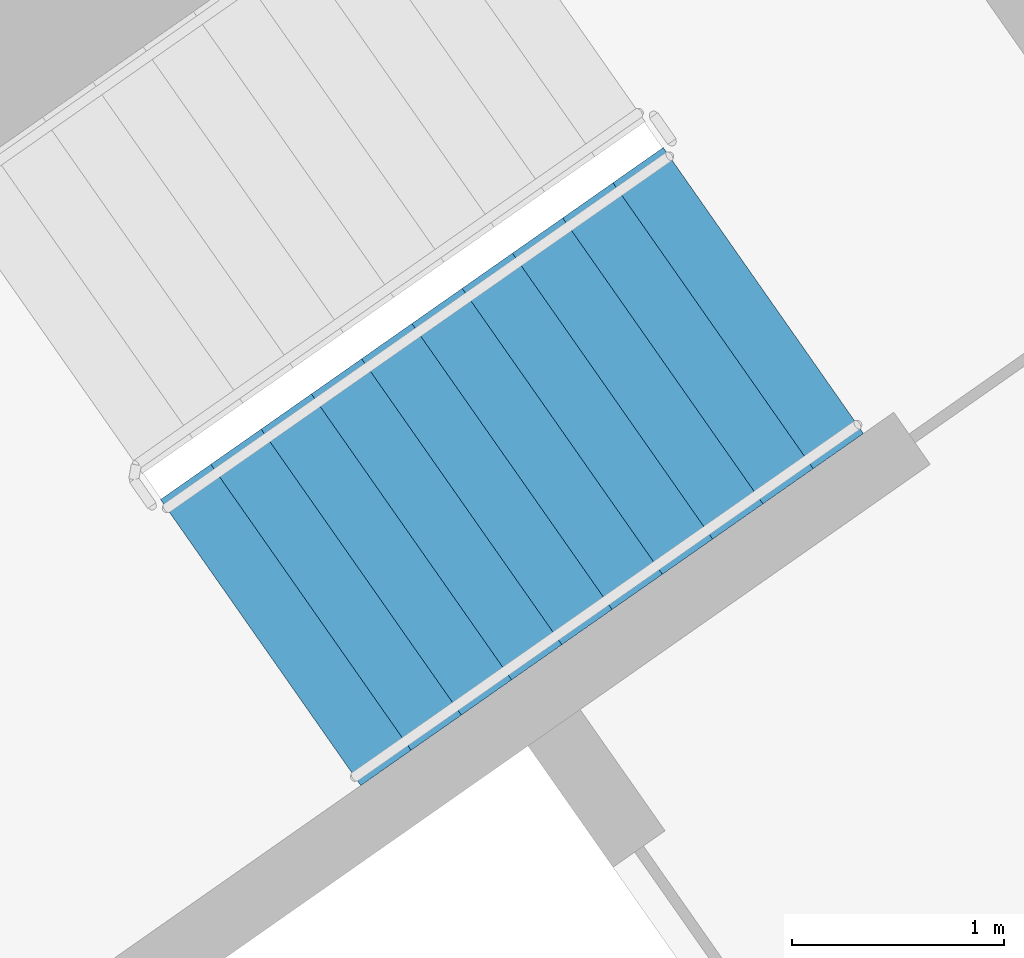
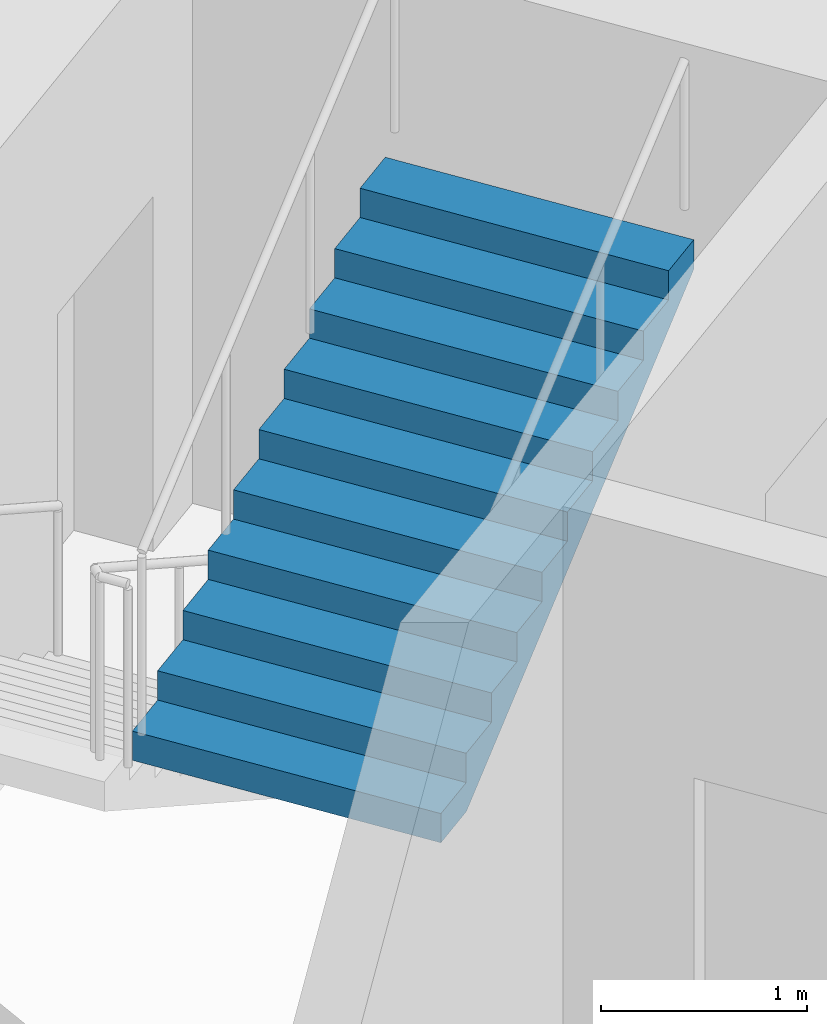
# One storey, part 15 of 31: 1 stair flight, 1 element without a shape of its own.
"""IFC4 building model written with IfcOpenShell, lengths in metres."""

from ifc_helpers import new_model, si_unit, direction, frame, origin, place, context, subcontext, project, spatial, faceted_brep, material, type_object, element, aggregate, save


model = new_model("IFC4")

# Units and contexts
model_context = context("Model", 3, precision=1e-05, world=origin(), true_north=direction((0.0, 1.0)))
body_context = subcontext(model_context, "Body", "Model", "MODEL_VIEW")
ifc_project = project(units=[si_unit("LENGTHUNIT", "METRE"), si_unit("AREAUNIT", "SQUARE_METRE"), si_unit("VOLUMEUNIT", "CUBIC_METRE"), si_unit("PLANEANGLEUNIT", "RADIAN"), si_unit("MASSUNIT", "GRAM", prefix="KILO")], contexts=[model_context])

# Site, building, storey
site_placement = place(None, origin())
site = spatial("IfcSite", under=ifc_project, at=site_placement, CompositionType="ELEMENT")
building_placement = place(site_placement, origin())
building = spatial("IfcBuilding", under=site, at=building_placement, Name="Qamariyya Broadcast Tower", CompositionType="ELEMENT")
storey_placement = place(building_placement, frame((0.0, 0.0, 55.699951171875)))
storey = spatial("IfcBuildingStorey", under=building, at=storey_placement, Name="L10", CompositionType="ELEMENT", Elevation=55.699951171875)

# Stair, stair flight
ifc_material = material(Name="Concrete C50/60", Category="concrete")
stair_type = type_object("IfcStairType", Name="Exit stair 22 risers of 173 mm", PredefinedType="HALF_TURN_STAIR", material=ifc_material)
stair_placement = place(storey_placement, origin())
stair = element("IfcStair", 1, at=stair_placement, inside=storey, type_object=stair_type, Name="L10 Stair E2", PredefinedType="HALF_TURN_STAIR")
stair_flight_type = type_object("IfcStairFlightType", Name="Exit stair flight 11 risers of 173 mm", PredefinedType="STRAIGHT", material=ifc_material)
stair_flight_placement = place(storey_placement, frame((39.215576171875, -50.822998046875, 1.900146484375), z_axis=(0.0, 0.0, 1.0), x_axis=(0.819152044289, 0.573576436351, 0.0)))
stair_flight = element("IfcStairFlight", 2, at=stair_flight_placement, type_object=stair_flight_type, Name="ST-E2 flight 2", NumberOfRisers=11, NumberOfTreads=10, PredefinedType="STRAIGHT", RiserHeight=0.172727273, TreadLength=0.29, context=body_context, shape_type="Brep", body=[
    faceted_brep([(0.0, 0.824951171875, 0.0), (0.0, 0.824951171875, 0.172607421875), (0.2900390625, 0.824951171875, 0.172607421875), (0.2900390625, 0.824951171875, 0.345458984375), (0.580078125, 0.824951171875, 0.345458984375), (0.580078125, 0.824951171875, 0.51806640625), (0.8701171875, 0.824951171875, 0.51806640625), (0.8701171875, 0.824951171875, 0.69091796875), (1.159912109375, 0.824951171875, 0.69091796875), (1.159912109375, 0.824951171875, 0.863525390625), (1.449951171875, 0.824951171875, 0.863525390625), (1.449951171875, 0.824951171875, 1.036376953125), (1.739990234375, 0.824951171875, 1.036376953125), (1.739990234375, 0.824951171875, 1.208984375), (2.030029296875, 0.824951171875, 1.208984375), (2.030029296875, 0.824951171875, 1.3818359375), (2.320068359375, 0.824951171875, 1.3818359375), (2.320068359375, 0.824951171875, 1.554443359375), (2.610107421875, 0.824951171875, 1.554443359375), (2.610107421875, 0.824951171875, 1.727294921875), (2.89990234375, 0.824951171875, 1.727294921875), (2.89990234375, 0.824951171875, 1.552734375), (0.29296875, 0.824951171875, 0.0), (0.29296875, -0.824951171875, 0.0), (2.89990234375, -0.824951171875, 1.552734375), (2.89990234375, -0.824951171875, 1.727294921875), (2.610107421875, -0.824951171875, 1.727294921875), (2.610107421875, -0.824951171875, 1.554443359375), (2.320068359375, -0.824951171875, 1.554443359375), (2.320068359375, -0.824951171875, 1.3818359375), (2.030029296875, -0.824951171875, 1.3818359375), (2.030029296875, -0.824951171875, 1.208984375), (1.739990234375, -0.824951171875, 1.208984375), (1.739990234375, -0.824951171875, 1.036376953125), (1.449951171875, -0.824951171875, 1.036376953125), (1.449951171875, -0.824951171875, 0.863525390625), (1.159912109375, -0.824951171875, 0.863525390625), (1.159912109375, -0.824951171875, 0.69091796875), (0.8701171875, -0.824951171875, 0.69091796875), (0.8701171875, -0.824951171875, 0.51806640625), (0.580078125, -0.824951171875, 0.51806640625), (0.580078125, -0.824951171875, 0.345458984375), (0.2900390625, -0.824951171875, 0.345458984375), (0.2900390625, -0.824951171875, 0.172607421875), (0.0, -0.824951171875, 0.172607421875), (0.0, -0.824951171875, 0.0), (0.0, 0.10009765625, 0.0), (0.0, 0.086669921875, 0.0), (0.0, 0.0732421875, 0.0), (0.0, 0.06005859375, 0.0), (0.0, 0.046630859375, 0.0), (0.0, 0.033447265625, 0.0), (0.0, 0.02001953125, 0.0), (0.0, 0.006591796875, 0.0), (0.0, -0.006591796875, 0.0), (0.0, -0.02001953125, 0.0), (0.0, -0.033447265625, 0.0), (0.0, -0.046630859375, 0.0), (0.0, -0.06005859375, 0.0), (0.0, -0.0732421875, 0.0), (0.0, -0.086669921875, 0.0), (0.0, -0.10009765625, 0.0), (0.0, -0.10009765625, 0.172607421875), (0.0, -0.086669921875, 0.172607421875), (0.0, -0.0732421875, 0.172607421875), (0.0, -0.06005859375, 0.172607421875), (0.0, -0.046630859375, 0.172607421875), (0.0, -0.033447265625, 0.172607421875), (0.0, -0.02001953125, 0.172607421875), (0.0, -0.006591796875, 0.172607421875), (0.0, 0.006591796875, 0.172607421875), (0.0, 0.02001953125, 0.172607421875), (0.0, 0.033447265625, 0.172607421875), (0.0, 0.046630859375, 0.172607421875), (0.0, 0.06005859375, 0.172607421875), (0.0, 0.0732421875, 0.172607421875), (0.0, 0.086669921875, 0.172607421875), (0.0, 0.10009765625, 0.172607421875), (0.2900390625, -0.10009765625, 0.172607421875), (0.2900390625, -0.086669921875, 0.172607421875), (0.2900390625, -0.0732421875, 0.172607421875), (0.2900390625, -0.06005859375, 0.172607421875), (0.2900390625, -0.046630859375, 0.172607421875), (0.2900390625, -0.033447265625, 0.172607421875), (0.2900390625, -0.02001953125, 0.172607421875), (0.2900390625, -0.006591796875, 0.172607421875), (0.2900390625, 0.006591796875, 0.172607421875), (0.2900390625, 0.02001953125, 0.172607421875), (0.2900390625, 0.033447265625, 0.172607421875), (0.2900390625, 0.046630859375, 0.172607421875), (0.2900390625, 0.06005859375, 0.172607421875), (0.2900390625, 0.0732421875, 0.172607421875), (0.2900390625, 0.086669921875, 0.172607421875), (0.2900390625, 0.10009765625, 0.172607421875), (0.2900390625, -0.10009765625, 0.345458984375), (0.2900390625, -0.086669921875, 0.345458984375), (0.2900390625, -0.0732421875, 0.345458984375), (0.2900390625, -0.06005859375, 0.345458984375), (0.2900390625, -0.046630859375, 0.345458984375), (0.2900390625, -0.033447265625, 0.345458984375), (0.2900390625, -0.02001953125, 0.345458984375), (0.2900390625, -0.006591796875, 0.345458984375), (0.2900390625, 0.006591796875, 0.345458984375), (0.2900390625, 0.02001953125, 0.345458984375), (0.2900390625, 0.033447265625, 0.345458984375), (0.2900390625, 0.046630859375, 0.345458984375), (0.2900390625, 0.06005859375, 0.345458984375), (0.2900390625, 0.0732421875, 0.345458984375), (0.2900390625, 0.086669921875, 0.345458984375), (0.2900390625, 0.10009765625, 0.345458984375), (0.580078125, -0.10009765625, 0.345458984375), (0.580078125, -0.086669921875, 0.345458984375), (0.580078125, -0.0732421875, 0.345458984375), (0.580078125, -0.06005859375, 0.345458984375), (0.580078125, -0.046630859375, 0.345458984375), (0.580078125, -0.033447265625, 0.345458984375), (0.580078125, -0.02001953125, 0.345458984375), (0.580078125, -0.006591796875, 0.345458984375), (0.580078125, 0.006591796875, 0.345458984375), (0.580078125, 0.02001953125, 0.345458984375), (0.580078125, 0.033447265625, 0.345458984375), (0.580078125, 0.046630859375, 0.345458984375), (0.580078125, 0.06005859375, 0.345458984375), (0.580078125, 0.0732421875, 0.345458984375), (0.580078125, 0.086669921875, 0.345458984375), (0.580078125, 0.10009765625, 0.345458984375), (0.580078125, -0.10009765625, 0.51806640625), (0.580078125, -0.086669921875, 0.51806640625), (0.580078125, -0.0732421875, 0.51806640625), (0.580078125, -0.06005859375, 0.51806640625), (0.580078125, -0.046630859375, 0.51806640625), (0.580078125, -0.033447265625, 0.51806640625), (0.580078125, -0.02001953125, 0.51806640625), (0.580078125, -0.006591796875, 0.51806640625), (0.580078125, 0.006591796875, 0.51806640625), (0.580078125, 0.02001953125, 0.51806640625), (0.580078125, 0.033447265625, 0.51806640625), (0.580078125, 0.046630859375, 0.51806640625), (0.580078125, 0.06005859375, 0.51806640625), (0.580078125, 0.0732421875, 0.51806640625), (0.580078125, 0.086669921875, 0.51806640625), (0.580078125, 0.10009765625, 0.51806640625), (0.8701171875, -0.10009765625, 0.51806640625), (0.8701171875, -0.086669921875, 0.51806640625), (0.8701171875, -0.0732421875, 0.51806640625), (0.8701171875, -0.06005859375, 0.51806640625), (0.8701171875, -0.046630859375, 0.51806640625), (0.8701171875, -0.033447265625, 0.51806640625), (0.8701171875, -0.02001953125, 0.51806640625), (0.8701171875, -0.006591796875, 0.51806640625), (0.8701171875, 0.006591796875, 0.51806640625), (0.8701171875, 0.02001953125, 0.51806640625), (0.8701171875, 0.033447265625, 0.51806640625), (0.8701171875, 0.046630859375, 0.51806640625), (0.8701171875, 0.06005859375, 0.51806640625), (0.8701171875, 0.0732421875, 0.51806640625), (0.8701171875, 0.086669921875, 0.51806640625), (0.8701171875, 0.10009765625, 0.51806640625), (0.8701171875, -0.10009765625, 0.69091796875), (0.8701171875, -0.086669921875, 0.69091796875), (0.8701171875, -0.0732421875, 0.69091796875), (0.8701171875, -0.06005859375, 0.69091796875), (0.8701171875, -0.046630859375, 0.69091796875), (0.8701171875, -0.033447265625, 0.69091796875), (0.8701171875, -0.02001953125, 0.69091796875), (0.8701171875, -0.006591796875, 0.69091796875), (0.8701171875, 0.006591796875, 0.69091796875), (0.8701171875, 0.02001953125, 0.69091796875), (0.8701171875, 0.033447265625, 0.69091796875), (0.8701171875, 0.046630859375, 0.69091796875), (0.8701171875, 0.06005859375, 0.69091796875), (0.8701171875, 0.0732421875, 0.69091796875), (0.8701171875, 0.086669921875, 0.69091796875), (0.8701171875, 0.10009765625, 0.69091796875), (1.159912109375, -0.10009765625, 0.69091796875), (1.159912109375, -0.086669921875, 0.69091796875), (1.159912109375, -0.0732421875, 0.69091796875), (1.159912109375, -0.06005859375, 0.69091796875), (1.159912109375, -0.046630859375, 0.69091796875), (1.159912109375, -0.033447265625, 0.69091796875), (1.159912109375, -0.02001953125, 0.69091796875), (1.159912109375, -0.006591796875, 0.69091796875), (1.159912109375, 0.006591796875, 0.69091796875), (1.159912109375, 0.02001953125, 0.69091796875), (1.159912109375, 0.033447265625, 0.69091796875), (1.159912109375, 0.046630859375, 0.69091796875), (1.159912109375, 0.06005859375, 0.69091796875), (1.159912109375, 0.0732421875, 0.69091796875), (1.159912109375, 0.086669921875, 0.69091796875), (1.159912109375, 0.10009765625, 0.69091796875), (1.159912109375, -0.10009765625, 0.863525390625), (1.159912109375, -0.086669921875, 0.863525390625), (1.159912109375, -0.0732421875, 0.863525390625), (1.159912109375, -0.06005859375, 0.863525390625), (1.159912109375, -0.046630859375, 0.863525390625), (1.159912109375, -0.033447265625, 0.863525390625), (1.159912109375, -0.02001953125, 0.863525390625), (1.159912109375, -0.006591796875, 0.863525390625), (1.159912109375, 0.006591796875, 0.863525390625), (1.159912109375, 0.02001953125, 0.863525390625), (1.159912109375, 0.033447265625, 0.863525390625), (1.159912109375, 0.046630859375, 0.863525390625), (1.159912109375, 0.06005859375, 0.863525390625), (1.159912109375, 0.0732421875, 0.863525390625), (1.159912109375, 0.086669921875, 0.863525390625), (1.159912109375, 0.10009765625, 0.863525390625), (1.449951171875, -0.10009765625, 0.863525390625), (1.449951171875, -0.086669921875, 0.863525390625), (1.449951171875, -0.0732421875, 0.863525390625), (1.449951171875, -0.06005859375, 0.863525390625), (1.449951171875, -0.046630859375, 0.863525390625), (1.449951171875, -0.033447265625, 0.863525390625), (1.449951171875, -0.02001953125, 0.863525390625), (1.449951171875, -0.006591796875, 0.863525390625), (1.449951171875, 0.006591796875, 0.863525390625), (1.449951171875, 0.02001953125, 0.863525390625), (1.449951171875, 0.033447265625, 0.863525390625), (1.449951171875, 0.046630859375, 0.863525390625), (1.449951171875, 0.06005859375, 0.863525390625), (1.449951171875, 0.0732421875, 0.863525390625), (1.449951171875, 0.086669921875, 0.863525390625), (1.449951171875, 0.10009765625, 0.863525390625), (1.449951171875, -0.10009765625, 1.036376953125), (1.449951171875, -0.086669921875, 1.036376953125), (1.449951171875, -0.0732421875, 1.036376953125), (1.449951171875, -0.06005859375, 1.036376953125), (1.449951171875, -0.046630859375, 1.036376953125), (1.449951171875, -0.033447265625, 1.036376953125), (1.449951171875, -0.02001953125, 1.036376953125), (1.449951171875, -0.006591796875, 1.036376953125), (1.449951171875, 0.006591796875, 1.036376953125), (1.449951171875, 0.02001953125, 1.036376953125), (1.449951171875, 0.033447265625, 1.036376953125), (1.449951171875, 0.046630859375, 1.036376953125), (1.449951171875, 0.06005859375, 1.036376953125), (1.449951171875, 0.0732421875, 1.036376953125), (1.449951171875, 0.086669921875, 1.036376953125), (1.449951171875, 0.10009765625, 1.036376953125), (1.739990234375, -0.10009765625, 1.036376953125), (1.739990234375, -0.086669921875, 1.036376953125), (1.739990234375, -0.0732421875, 1.036376953125), (1.739990234375, -0.06005859375, 1.036376953125), (1.739990234375, -0.046630859375, 1.036376953125), (1.739990234375, -0.033447265625, 1.036376953125), (1.739990234375, -0.02001953125, 1.036376953125), (1.739990234375, -0.006591796875, 1.036376953125), (1.739990234375, 0.006591796875, 1.036376953125), (1.739990234375, 0.02001953125, 1.036376953125), (1.739990234375, 0.033447265625, 1.036376953125), (1.739990234375, 0.046630859375, 1.036376953125), (1.739990234375, 0.06005859375, 1.036376953125), (1.739990234375, 0.0732421875, 1.036376953125), (1.739990234375, 0.086669921875, 1.036376953125), (1.739990234375, 0.10009765625, 1.036376953125), (1.739990234375, -0.10009765625, 1.208984375), (1.739990234375, -0.086669921875, 1.208984375), (1.739990234375, -0.0732421875, 1.208984375), (1.739990234375, -0.06005859375, 1.208984375), (1.739990234375, -0.046630859375, 1.208984375), (1.739990234375, -0.033447265625, 1.208984375), (1.739990234375, -0.02001953125, 1.208984375), (1.739990234375, -0.006591796875, 1.208984375), (1.739990234375, 0.006591796875, 1.208984375), (1.739990234375, 0.02001953125, 1.208984375), (1.739990234375, 0.033447265625, 1.208984375), (1.739990234375, 0.046630859375, 1.208984375), (1.739990234375, 0.06005859375, 1.208984375), (1.739990234375, 0.0732421875, 1.208984375), (1.739990234375, 0.086669921875, 1.208984375), (1.739990234375, 0.10009765625, 1.208984375), (2.030029296875, -0.10009765625, 1.208984375), (2.030029296875, -0.086669921875, 1.208984375), (2.030029296875, -0.0732421875, 1.208984375), (2.030029296875, -0.06005859375, 1.208984375), (2.030029296875, -0.046630859375, 1.208984375), (2.030029296875, -0.033447265625, 1.208984375), (2.030029296875, -0.02001953125, 1.208984375), (2.030029296875, -0.006591796875, 1.208984375), (2.030029296875, 0.006591796875, 1.208984375), (2.030029296875, 0.02001953125, 1.208984375), (2.030029296875, 0.033447265625, 1.208984375), (2.030029296875, 0.046630859375, 1.208984375), (2.030029296875, 0.06005859375, 1.208984375), (2.030029296875, 0.0732421875, 1.208984375), (2.030029296875, 0.086669921875, 1.208984375), (2.030029296875, 0.10009765625, 1.208984375), (2.030029296875, -0.10009765625, 1.3818359375), (2.030029296875, -0.086669921875, 1.3818359375), (2.030029296875, -0.0732421875, 1.3818359375), (2.030029296875, -0.06005859375, 1.3818359375), (2.030029296875, -0.046630859375, 1.3818359375), (2.030029296875, -0.033447265625, 1.3818359375), (2.030029296875, -0.02001953125, 1.3818359375), (2.030029296875, -0.006591796875, 1.3818359375), (2.030029296875, 0.006591796875, 1.3818359375), (2.030029296875, 0.02001953125, 1.3818359375), (2.030029296875, 0.033447265625, 1.3818359375), (2.030029296875, 0.046630859375, 1.3818359375), (2.030029296875, 0.06005859375, 1.3818359375), (2.030029296875, 0.0732421875, 1.3818359375), (2.030029296875, 0.086669921875, 1.3818359375), (2.030029296875, 0.10009765625, 1.3818359375), (2.320068359375, -0.10009765625, 1.3818359375), (2.320068359375, -0.086669921875, 1.3818359375), (2.320068359375, -0.0732421875, 1.3818359375), (2.320068359375, -0.06005859375, 1.3818359375), (2.320068359375, -0.046630859375, 1.3818359375), (2.320068359375, -0.033447265625, 1.3818359375), (2.320068359375, -0.02001953125, 1.3818359375), (2.320068359375, -0.006591796875, 1.3818359375), (2.320068359375, 0.006591796875, 1.3818359375), (2.320068359375, 0.02001953125, 1.3818359375), (2.320068359375, 0.033447265625, 1.3818359375), (2.320068359375, 0.046630859375, 1.3818359375), (2.320068359375, 0.06005859375, 1.3818359375), (2.320068359375, 0.0732421875, 1.3818359375), (2.320068359375, 0.086669921875, 1.3818359375), (2.320068359375, 0.10009765625, 1.3818359375), (2.320068359375, -0.10009765625, 1.554443359375), (2.320068359375, -0.086669921875, 1.554443359375), (2.320068359375, -0.0732421875, 1.554443359375), (2.320068359375, -0.06005859375, 1.554443359375), (2.320068359375, -0.046630859375, 1.554443359375), (2.320068359375, -0.033447265625, 1.554443359375), (2.320068359375, -0.02001953125, 1.554443359375), (2.320068359375, -0.006591796875, 1.554443359375), (2.320068359375, 0.006591796875, 1.554443359375), (2.320068359375, 0.02001953125, 1.554443359375), (2.320068359375, 0.033447265625, 1.554443359375), (2.320068359375, 0.046630859375, 1.554443359375), (2.320068359375, 0.06005859375, 1.554443359375), (2.320068359375, 0.0732421875, 1.554443359375), (2.320068359375, 0.086669921875, 1.554443359375), (2.320068359375, 0.10009765625, 1.554443359375), (2.610107421875, -0.10009765625, 1.554443359375), (2.610107421875, -0.086669921875, 1.554443359375), (2.610107421875, -0.0732421875, 1.554443359375), (2.610107421875, -0.06005859375, 1.554443359375), (2.610107421875, -0.046630859375, 1.554443359375), (2.610107421875, -0.033447265625, 1.554443359375), (2.610107421875, -0.02001953125, 1.554443359375), (2.610107421875, -0.006591796875, 1.554443359375), (2.610107421875, 0.006591796875, 1.554443359375), (2.610107421875, 0.02001953125, 1.554443359375), (2.610107421875, 0.033447265625, 1.554443359375), (2.610107421875, 0.046630859375, 1.554443359375), (2.610107421875, 0.06005859375, 1.554443359375), (2.610107421875, 0.0732421875, 1.554443359375), (2.610107421875, 0.086669921875, 1.554443359375), (2.610107421875, 0.10009765625, 1.554443359375), (2.610107421875, -0.10009765625, 1.727294921875), (2.610107421875, -0.086669921875, 1.727294921875), (2.610107421875, -0.0732421875, 1.727294921875), (2.610107421875, -0.06005859375, 1.727294921875), (2.610107421875, -0.046630859375, 1.727294921875), (2.610107421875, -0.033447265625, 1.727294921875), (2.610107421875, -0.02001953125, 1.727294921875), (2.610107421875, -0.006591796875, 1.727294921875), (2.610107421875, 0.006591796875, 1.727294921875), (2.610107421875, 0.02001953125, 1.727294921875), (2.610107421875, 0.033447265625, 1.727294921875), (2.610107421875, 0.046630859375, 1.727294921875), (2.610107421875, 0.06005859375, 1.727294921875), (2.610107421875, 0.0732421875, 1.727294921875), (2.610107421875, 0.086669921875, 1.727294921875), (2.610107421875, 0.10009765625, 1.727294921875), (2.89990234375, -0.10009765625, 1.727294921875), (2.89990234375, -0.086669921875, 1.727294921875), (2.89990234375, -0.0732421875, 1.727294921875), (2.89990234375, -0.06005859375, 1.727294921875), (2.89990234375, -0.046630859375, 1.727294921875), (2.89990234375, -0.033447265625, 1.727294921875), (2.89990234375, -0.02001953125, 1.727294921875), (2.89990234375, -0.006591796875, 1.727294921875), (2.89990234375, 0.006591796875, 1.727294921875), (2.89990234375, 0.02001953125, 1.727294921875), (2.89990234375, 0.033447265625, 1.727294921875), (2.89990234375, 0.046630859375, 1.727294921875), (2.89990234375, 0.06005859375, 1.727294921875), (2.89990234375, 0.0732421875, 1.727294921875), (2.89990234375, 0.086669921875, 1.727294921875), (2.89990234375, 0.10009765625, 1.727294921875), (2.89990234375, -0.10009765625, 1.552734375), (2.89990234375, -0.086669921875, 1.552734375), (2.89990234375, -0.0732421875, 1.552734375), (2.89990234375, -0.06005859375, 1.552734375), (2.89990234375, -0.046630859375, 1.552734375), (2.89990234375, -0.033447265625, 1.552734375), (2.89990234375, -0.02001953125, 1.552734375), (2.89990234375, -0.006591796875, 1.552734375), (2.89990234375, 0.006591796875, 1.552734375), (2.89990234375, 0.02001953125, 1.552734375), (2.89990234375, 0.033447265625, 1.552734375), (2.89990234375, 0.046630859375, 1.552734375), (2.89990234375, 0.06005859375, 1.552734375), (2.89990234375, 0.0732421875, 1.552734375), (2.89990234375, 0.086669921875, 1.552734375), (2.89990234375, 0.10009765625, 1.552734375), (0.29296875, -0.10009765625, 0.0), (0.29296875, -0.086669921875, 0.0), (0.29296875, -0.0732421875, 0.0), (0.29296875, -0.06005859375, 0.0), (0.29296875, -0.046630859375, 0.0), (0.29296875, -0.033447265625, 0.0), (0.29296875, -0.02001953125, 0.0), (0.29296875, -0.006591796875, 0.0), (0.29296875, 0.006591796875, 0.0), (0.29296875, 0.02001953125, 0.0), (0.29296875, 0.033447265625, 0.0), (0.29296875, 0.046630859375, 0.0), (0.29296875, 0.06005859375, 0.0), (0.29296875, 0.0732421875, 0.0), (0.29296875, 0.086669921875, 0.0), (0.29296875, 0.10009765625, 0.0)], [[[0, 1, 2, 3, 4, 5, 6, 7, 8, 9, 10, 11, 12, 13, 14, 15, 16, 17, 18, 19, 20, 21, 22]], [[23, 24, 25, 26, 27, 28, 29, 30, 31, 32, 33, 34, 35, 36, 37, 38, 39, 40, 41, 42, 43, 44, 45]], [[0, 46, 47, 48, 49, 50, 51, 52, 53, 54, 55, 56, 57, 58, 59, 60, 61, 45, 44, 62, 63, 64, 65, 66, 67, 68, 69, 70, 71, 72, 73, 74, 75, 76, 77, 1]], [[1, 77, 76, 75, 74, 73, 72, 71, 70, 69, 68, 67, 66, 65, 64, 63, 62, 44, 43, 78, 79, 80, 81, 82, 83, 84, 85, 86, 87, 88, 89, 90, 91, 92, 93, 2]], [[2, 93, 92, 91, 90, 89, 88, 87, 86, 85, 84, 83, 82, 81, 80, 79, 78, 43, 42, 94, 95, 96, 97, 98, 99, 100, 101, 102, 103, 104, 105, 106, 107, 108, 109, 3]], [[3, 109, 108, 107, 106, 105, 104, 103, 102, 101, 100, 99, 98, 97, 96, 95, 94, 42, 41, 110, 111, 112, 113, 114, 115, 116, 117, 118, 119, 120, 121, 122, 123, 124, 125, 4]], [[4, 125, 124, 123, 122, 121, 120, 119, 118, 117, 116, 115, 114, 113, 112, 111, 110, 41, 40, 126, 127, 128, 129, 130, 131, 132, 133, 134, 135, 136, 137, 138, 139, 140, 141, 5]], [[5, 141, 140, 139, 138, 137, 136, 135, 134, 133, 132, 131, 130, 129, 128, 127, 126, 40, 39, 142, 143, 144, 145, 146, 147, 148, 149, 150, 151, 152, 153, 154, 155, 156, 157, 6]], [[6, 157, 156, 155, 154, 153, 152, 151, 150, 149, 148, 147, 146, 145, 144, 143, 142, 39, 38, 158, 159, 160, 161, 162, 163, 164, 165, 166, 167, 168, 169, 170, 171, 172, 173, 7]], [[7, 173, 172, 171, 170, 169, 168, 167, 166, 165, 164, 163, 162, 161, 160, 159, 158, 38, 37, 174, 175, 176, 177, 178, 179, 180, 181, 182, 183, 184, 185, 186, 187, 188, 189, 8]], [[8, 189, 188, 187, 186, 185, 184, 183, 182, 181, 180, 179, 178, 177, 176, 175, 174, 37, 36, 190, 191, 192, 193, 194, 195, 196, 197, 198, 199, 200, 201, 202, 203, 204, 205, 9]], [[9, 205, 204, 203, 202, 201, 200, 199, 198, 197, 196, 195, 194, 193, 192, 191, 190, 36, 35, 206, 207, 208, 209, 210, 211, 212, 213, 214, 215, 216, 217, 218, 219, 220, 221, 10]], [[10, 221, 220, 219, 218, 217, 216, 215, 214, 213, 212, 211, 210, 209, 208, 207, 206, 35, 34, 222, 223, 224, 225, 226, 227, 228, 229, 230, 231, 232, 233, 234, 235, 236, 237, 11]], [[11, 237, 236, 235, 234, 233, 232, 231, 230, 229, 228, 227, 226, 225, 224, 223, 222, 34, 33, 238, 239, 240, 241, 242, 243, 244, 245, 246, 247, 248, 249, 250, 251, 252, 253, 12]], [[12, 253, 252, 251, 250, 249, 248, 247, 246, 245, 244, 243, 242, 241, 240, 239, 238, 33, 32, 254, 255, 256, 257, 258, 259, 260, 261, 262, 263, 264, 265, 266, 267, 268, 269, 13]], [[13, 269, 268, 267, 266, 265, 264, 263, 262, 261, 260, 259, 258, 257, 256, 255, 254, 32, 31, 270, 271, 272, 273, 274, 275, 276, 277, 278, 279, 280, 281, 282, 283, 284, 285, 14]], [[14, 285, 284, 283, 282, 281, 280, 279, 278, 277, 276, 275, 274, 273, 272, 271, 270, 31, 30, 286, 287, 288, 289, 290, 291, 292, 293, 294, 295, 296, 297, 298, 299, 300, 301, 15]], [[15, 301, 300, 299, 298, 297, 296, 295, 294, 293, 292, 291, 290, 289, 288, 287, 286, 30, 29, 302, 303, 304, 305, 306, 307, 308, 309, 310, 311, 312, 313, 314, 315, 316, 317, 16]], [[16, 317, 316, 315, 314, 313, 312, 311, 310, 309, 308, 307, 306, 305, 304, 303, 302, 29, 28, 318, 319, 320, 321, 322, 323, 324, 325, 326, 327, 328, 329, 330, 331, 332, 333, 17]], [[17, 333, 332, 331, 330, 329, 328, 327, 326, 325, 324, 323, 322, 321, 320, 319, 318, 28, 27, 334, 335, 336, 337, 338, 339, 340, 341, 342, 343, 344, 345, 346, 347, 348, 349, 18]], [[18, 349, 348, 347, 346, 345, 344, 343, 342, 341, 340, 339, 338, 337, 336, 335, 334, 27, 26, 350, 351, 352, 353, 354, 355, 356, 357, 358, 359, 360, 361, 362, 363, 364, 365, 19]], [[19, 365, 364, 363, 362, 361, 360, 359, 358, 357, 356, 355, 354, 353, 352, 351, 350, 26, 25, 366, 367, 368, 369, 370, 371, 372, 373, 374, 375, 376, 377, 378, 379, 380, 381, 20]], [[20, 381, 380, 379, 378, 377, 376, 375, 374, 373, 372, 371, 370, 369, 368, 367, 366, 25, 24, 382, 383, 384, 385, 386, 387, 388, 389, 390, 391, 392, 393, 394, 395, 396, 397, 21]], [[21, 397, 396, 395, 394, 393, 392, 391, 390, 389, 388, 387, 386, 385, 384, 383, 382, 24, 23, 398, 399, 400, 401, 402, 403, 404, 405, 406, 407, 408, 409, 410, 411, 412, 413, 22]], [[22, 413, 412, 411, 410, 409, 408, 407, 406, 405, 404, 403, 402, 401, 400, 399, 398, 23, 45, 61, 60, 59, 58, 57, 56, 55, 54, 53, 52, 51, 50, 49, 48, 47, 46, 0]]]),
])
aggregate(stair, [stair_flight])

save(model, "model.ifc")
